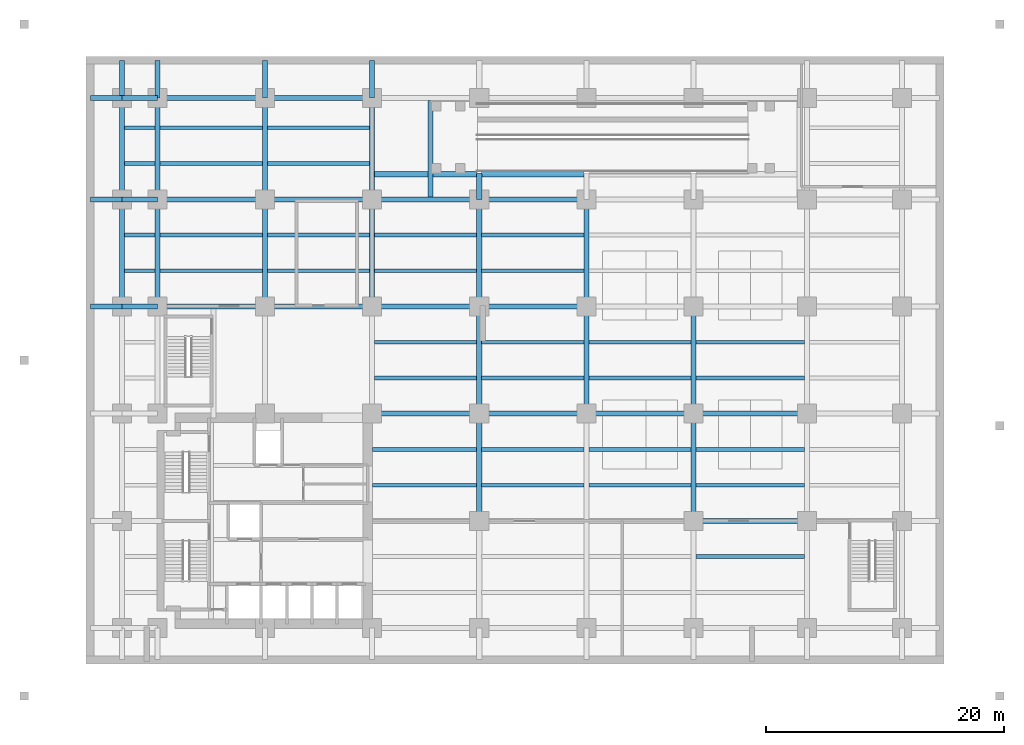
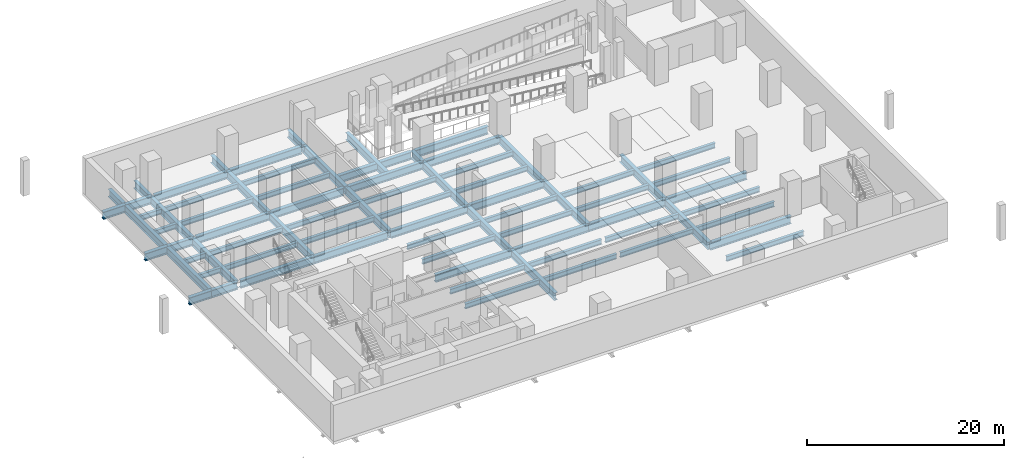
# One storey, part 2 of 10: 77 beams.
"""IFC4 building model written with IfcOpenShell, lengths in metres."""

import ifcopenshell
import ifcopenshell.guid

model = None  # the IFC model being written
_history = None  # IfcOwnerHistory: only IFC2X3 demands one
_inside = {}  # id of a spatial element -> (the spatial element, [elements in it])
_under = {}  # id of a project, library or spatial element -> (it, [spatial elements below it])
_declared = {}  # id of a project -> (the project, [libraries it declares])
_typed = {}  # id of a type object -> (the type object, [elements of that type])
_made_of = {}  # id of a material, layer set ... -> (it, [elements and type objects made of it])


def new_model(schema):
    """Start an empty IFC model of exactly this schema.

    Asked for "IFC4X3", IfcOpenShell would pick the latest addendum, in which some entities
    have other attributes; the version numbers below select the first issue.
    IFC2X3 requires an IfcOwnerHistory on every rooted entity: one is made here for all.
    """
    global model, _history
    if schema == "IFC4X3":
        model = ifcopenshell.file(schema_version=(4, 3, 0, 0))
    else:
        model = ifcopenshell.file(schema=schema)
    _inside.clear()
    _under.clear()
    _declared.clear()
    _typed.clear()
    _made_of.clear()
    _history = None
    if model.schema == "IFC2X3":
        org = make("IfcOrganization", Name="unknown")
        user = make(
            "IfcPersonAndOrganization",
            ThePerson=make("IfcPerson", FamilyName="unknown"),
            TheOrganization=org,
        )
        app = make(
            "IfcApplication",
            ApplicationDeveloper=org,
            Version="unknown",
            ApplicationFullName="unknown",
            ApplicationIdentifier="unknown",
        )
        _history = make(
            "IfcOwnerHistory",
            OwningUser=user,
            OwningApplication=app,
            ChangeAction="ADDED",
            CreationDate=0,
        )
    return model


def make(cls, **values):
    """One entity of the class cls with the attributes given. An attribute that is None is left unset."""
    return model.create_entity(
        cls, **{name: value for name, value in values.items() if value is not None}
    )


def rooted(cls, **values):
    """An entity with a GlobalId (a new one), such as an element, a storey or a relation."""
    return make(cls, GlobalId=ifcopenshell.guid.new(), OwnerHistory=_history, **values)


def si_unit(unit_type, name, prefix=None):
    """IfcSIUnit, for example si_unit("LENGTHUNIT", "METRE", prefix="MILLI")."""
    return make("IfcSIUnit", UnitType=unit_type, Prefix=prefix, Name=name)


def assignment(units):
    """IfcUnitAssignment: the units of a project."""
    return None if units is None else make("IfcUnitAssignment", Units=units)


def point(xyz):
    """IfcCartesianPoint."""
    return None if xyz is None else make("IfcCartesianPoint", Coordinates=xyz)


def direction(xyz):
    """IfcDirection."""
    return None if xyz is None else make("IfcDirection", DirectionRatios=xyz)


def frame(location, z_axis=None, x_axis=None):
    """IfcAxis2Placement3D, a coordinate frame: its origin and axes. An axis left out is left unset."""
    return make(
        "IfcAxis2Placement3D",
        Location=point(location),
        Axis=direction(z_axis),
        RefDirection=direction(x_axis),
    )


def frame_2d(location, x_axis=None):
    """IfcAxis2Placement2D, a coordinate frame in the plane: its origin and x axis."""
    return make(
        "IfcAxis2Placement2D", Location=point(location), RefDirection=direction(x_axis)
    )


def origin():
    """The frame at (0, 0, 0) with its axes left unset."""
    return frame((0.0, 0.0, 0.0))


def origin_2d():
    """The frame at (0, 0) in the plane with its x axis left unset."""
    return frame_2d((0.0, 0.0))


def place(relative_to, where):
    """IfcLocalPlacement: puts the frame where relative to a parent placement (None: the world)."""
    return make(
        "IfcLocalPlacement", PlacementRelTo=relative_to, RelativePlacement=where
    )


def context(
    kind, dimensions, precision=None, world=None, true_north=None, identifier=None
):
    """IfcGeometricRepresentationContext, for example the 3D "Model" context."""
    return make(
        "IfcGeometricRepresentationContext",
        ContextIdentifier=identifier,
        ContextType=kind,
        CoordinateSpaceDimension=dimensions,
        Precision=precision,
        WorldCoordinateSystem=world,
        TrueNorth=true_north,
    )


def subcontext(parent, identifier, kind, view, scale=None):
    """IfcGeometricRepresentationSubContext, for example "Body" below "Model"."""
    return make(
        "IfcGeometricRepresentationSubContext",
        ContextIdentifier=identifier,
        ContextType=kind,
        ParentContext=parent,
        TargetScale=scale,
        TargetView=view,
    )


def project(units=None, contexts=None):
    """IfcProject with its units and contexts."""
    return rooted(
        "IfcProject",
        Name="project",
        RepresentationContexts=contexts,
        UnitsInContext=assignment(units),
    )


def spatial(cls, under=None, at=None, **own):
    """A site, building, storey or space (cls), placed at a placement, below another one or the project."""
    s = rooted(cls, ObjectPlacement=at, **own)
    if under is not None:
        _under.setdefault(under.id(), (under, []))[1].append(s)
    return s


def profile(cls, at=None, kind="AREA", **sizes):
    """A parametric profile (cls). Its sizes go by their IFC names, for example OverallWidth=200.0."""
    return make(cls, ProfileType=kind, Position=at, **sizes)


def i_section(**sizes):
    """IfcIShapeProfileDef."""
    return profile("IfcIShapeProfileDef", **sizes)


def extrude(swept, where, along, depth):
    """IfcExtrudedAreaSolid: the profile swept, set in the frame where, extruded along a direction by depth."""
    return make(
        "IfcExtrudedAreaSolid",
        SweptArea=swept,
        Position=where,
        ExtrudedDirection=direction(along),
        Depth=depth,
    )


def shape(context_of_items, identifier, shape_type, items):
    """IfcShapeRepresentation: the items that make up one representation, for example the "Body"."""
    return make(
        "IfcShapeRepresentation",
        ContextOfItems=context_of_items,
        RepresentationIdentifier=identifier,
        RepresentationType=shape_type,
        Items=items,
    )


def material(Name=None, Category=None):
    """IfcMaterial."""
    return make("IfcMaterial", Name=Name, Category=Category)


def material_profile(
    of_material, cross_section, Name=None, Category=None, Priority=None
):
    """IfcMaterialProfile: a cross section and its material."""
    return make(
        "IfcMaterialProfile",
        Name=Name,
        Material=of_material,
        Profile=cross_section,
        Priority=Priority,
        Category=Category,
    )


def profile_set(profiles, Name=None, composite=None):
    """IfcMaterialProfileSet."""
    return make(
        "IfcMaterialProfileSet",
        Name=Name,
        MaterialProfiles=profiles,
        CompositeProfile=composite,
    )


def made_of(thing, what):
    """Note that an element or type object is made of a material, layer set ...; save() writes the relation."""
    if what is not None:
        _made_of.setdefault(what.id(), (what, []))[1].append(thing)
    return thing


def type_object(cls, material=None, **own):
    """A type object (cls), such as IfcWallType, which elements share."""
    return made_of(rooted(cls, **own), material)


def element(
    cls,
    number,
    at=None,
    inside=None,
    cuts=None,
    type_object=None,
    material=None,
    context=None,
    identifier="Body",
    shape_type=None,
    held_by="IfcProductDefinitionShape",
    body=None,
    shapes=None,
    **own,
):
    """One element of the class cls, such as IfcWall. Its Tag is "e" and its number.

    at: its placement. inside: the storey or other place that contains it. cuts: it is an
    opening in that element (IfcRelVoidsElement). A single representation is given by context,
    identifier, shape_type and body (its items); several are given by shapes. held_by: the class
    of the entity that holds the representations. save() writes the other relations.
    """
    e = rooted(cls, Tag="e%d" % number, ObjectPlacement=at, **own)
    if body is not None:
        shapes = [shape(context, identifier, shape_type, body)]
    if shapes is not None:
        e.Representation = make(held_by, Representations=shapes)
    if inside is not None:
        _inside.setdefault(inside.id(), (inside, []))[1].append(e)
    if cuts is not None:
        rooted(
            "IfcRelVoidsElement", RelatingBuildingElement=cuts, RelatedOpeningElement=e
        )
    if type_object is not None:
        _typed.setdefault(type_object.id(), (type_object, []))[1].append(e)
    return made_of(e, material)


def aggregate(whole, parts):
    """IfcRelAggregates: a whole, such as a stair, and the parts it consists of."""
    return rooted("IfcRelAggregates", RelatingObject=whole, RelatedObjects=parts)


def save(model, path):
    """Write the relations noted so far, then the file.

    IfcRelAggregates (storeys below a building ...), IfcRelContainedInSpatialStructure (elements
    in a storey), IfcRelDefinesByType, IfcRelAssociatesMaterial and IfcRelDeclares: one each for
    every whole, place, type object, material and project.
    """
    for whole, parts in _under.values():
        aggregate(whole, parts)
    for where, things in _inside.values():
        rooted(
            "IfcRelContainedInSpatialStructure",
            RelatedElements=things,
            RelatingStructure=where,
        )
    for kind, things in _typed.values():
        rooted("IfcRelDefinesByType", RelatedObjects=things, RelatingType=kind)
    for what, things in _made_of.values():
        rooted("IfcRelAssociatesMaterial", RelatedObjects=things, RelatingMaterial=what)
    for by, libraries in _declared.values():
        rooted("IfcRelDeclares", RelatingContext=by, RelatedDefinitions=libraries)
    model.write(path)


model = new_model("IFC4")

# Units and contexts
model_context = context("Model", 3, precision=1e-05, world=origin(), true_north=direction((0.0, 1.0)))
body_context = subcontext(model_context, "Body", "Model", "MODEL_VIEW")
ifc_project = project(units=[si_unit("LENGTHUNIT", "METRE"), si_unit("AREAUNIT", "SQUARE_METRE"), si_unit("VOLUMEUNIT", "CUBIC_METRE"), si_unit("PLANEANGLEUNIT", "RADIAN"), si_unit("MASSUNIT", "GRAM", prefix="KILO")], contexts=[model_context])

# Site, building, storey
site_placement = place(None, origin())
site = spatial("IfcSite", under=ifc_project, at=site_placement, CompositionType="ELEMENT")
building_placement = place(site_placement, origin())
building = spatial("IfcBuilding", under=site, at=building_placement, Name="Mawjdan Bourse Tower", CompositionType="ELEMENT")
storey_placement = place(building_placement, frame((0.0, 0.0, -4.5)))
storey = spatial("IfcBuildingStorey", under=building, at=storey_placement, Name="B01", CompositionType="ELEMENT", Elevation=-4.5)

# Beams
ifc_material_1 = material(Name="Structural Steel S460", Category="steel")
ifc_material_profile_1 = material_profile(ifc_material_1, i_section(OverallWidth=0.423095703125, OverallDepth=0.93994140625, WebThickness=0.02392578125, FlangeThickness=0.042724609375, FilletRadius=0.0341796875, at=origin_2d()), Name="W36X302")
ifc_profile_set_1 = profile_set([ifc_material_profile_1], Name="Structural Steel S460")
beam_type_1 = type_object("IfcBeamType", Name="GRD-W36X302", PredefinedType="BEAM", material=ifc_profile_set_1)
beam_1_placement = place(storey_placement, frame((24.0, 41.10009765625, -0.820068359375), z_axis=(1.0, 0.0, 0.0), x_axis=(0.0, 1.0, 0.0)))
element("IfcBeam", 1, at=beam_1_placement, inside=storey, type_object=beam_type_1, Name="B01 Ramp Opening South Trimmer 002", PredefinedType="BEAM", context=body_context, shape_type="SweptSolid", body=[
    extrude(i_section(OverallWidth=0.423095703125, OverallDepth=0.93994140625, WebThickness=0.02392578125, FlangeThickness=0.042724609375, FilletRadius=0.0341796875, at=origin_2d()), origin(), (0.0, 0.0, 1.0), 8.79052734375),
])
beam_2_placement = place(storey_placement, frame((33.20947265625, 41.10009765625, -0.820068359375), z_axis=(1.0, 0.0, 0.0), x_axis=(0.0, 1.0, 0.0)))
element("IfcBeam", 2, at=beam_2_placement, inside=storey, type_object=beam_type_1, Name="B01 Ramp Opening South Trimmer S2", PredefinedType="BEAM", context=body_context, shape_type="SweptSolid", body=[
    extrude(i_section(OverallWidth=0.423095703125, OverallDepth=0.93994140625, WebThickness=0.02392578125, FlangeThickness=0.042724609375, FilletRadius=0.0341796875, at=origin_2d()), origin(), (0.0, 0.0, 1.0), 8.5810546875),
])
beam_3_placement = place(storey_placement, frame((28.89990234375, 39.20947265625, -0.820068359375), z_axis=(0.0, 1.0, 0.0), x_axis=(-1.0, 0.0, 0.0)))
element("IfcBeam", 3, at=beam_3_placement, inside=storey, type_object=beam_type_1, Name="B01 Ramp Opening West Trimmer 003", PredefinedType="BEAM", context=body_context, shape_type="SweptSolid", body=[
    extrude(i_section(OverallWidth=0.423095703125, OverallDepth=0.93994140625, WebThickness=0.02392578125, FlangeThickness=0.042724609375, FilletRadius=0.0341796875, at=origin_2d()), origin(), (0.0, 0.0, 1.0), 8.0810546875),
])
beam_4_placement = place(storey_placement, frame((3.0, 30.0, -0.820068359375), z_axis=(0.0, 1.0, 0.0), x_axis=(-1.0, 0.0, 0.0)))
element("IfcBeam", 4, at=beam_4_placement, inside=storey, type_object=beam_type_1, Name="B01 Podium Primary Girder 010", PredefinedType="BEAM", context=body_context, shape_type="SweptSolid", body=[
    extrude(i_section(OverallWidth=0.423095703125, OverallDepth=0.93994140625, WebThickness=0.02392578125, FlangeThickness=0.042724609375, FilletRadius=0.0341796875, at=origin_2d()), origin(), (0.0, 0.0, 1.0), 9.0),
])
beam_5_placement = place(storey_placement, frame((3.0, 39.0, -0.820068359375), z_axis=(0.0, 1.0, 0.0), x_axis=(-1.0, 0.0, 0.0)))
element("IfcBeam", 5, at=beam_5_placement, inside=storey, type_object=beam_type_1, Name="B01 Podium Primary Girder 011", PredefinedType="BEAM", context=body_context, shape_type="SweptSolid", body=[
    extrude(i_section(OverallWidth=0.423095703125, OverallDepth=0.93994140625, WebThickness=0.02392578125, FlangeThickness=0.042724609375, FilletRadius=0.0341796875, at=origin_2d()), origin(), (0.0, 0.0, 1.0), 8.5),
])
beam_6_placement = place(storey_placement, frame((3.0, 47.5, -0.820068359375), z_axis=(0.0, 1.0, 0.0), x_axis=(-1.0, 0.0, 0.0)))
element("IfcBeam", 6, at=beam_6_placement, inside=storey, type_object=beam_type_1, Name="B01 Podium Primary Girder 012", PredefinedType="BEAM", context=body_context, shape_type="SweptSolid", body=[
    extrude(i_section(OverallWidth=0.423095703125, OverallDepth=0.93994140625, WebThickness=0.02392578125, FlangeThickness=0.042724609375, FilletRadius=0.0341796875, at=origin_2d()), origin(), (0.0, 0.0, 1.0), 3.14990234375),
])
beam_7_placement = place(storey_placement, frame((6.0, 30.0, -0.820068359375), z_axis=(0.0, 1.0, 0.0), x_axis=(-1.0, 0.0, 0.0)))
element("IfcBeam", 7, at=beam_7_placement, inside=storey, type_object=beam_type_1, Name="B01 Podium Primary Girder 015", PredefinedType="BEAM", context=body_context, shape_type="SweptSolid", body=[
    extrude(i_section(OverallWidth=0.423095703125, OverallDepth=0.93994140625, WebThickness=0.02392578125, FlangeThickness=0.042724609375, FilletRadius=0.0341796875, at=origin_2d()), origin(), (0.0, 0.0, 1.0), 9.0),
])
beam_8_placement = place(storey_placement, frame((6.0, 39.0, -0.820068359375), z_axis=(0.0, 1.0, 0.0), x_axis=(-1.0, 0.0, 0.0)))
element("IfcBeam", 8, at=beam_8_placement, inside=storey, type_object=beam_type_1, Name="B01 Podium Primary Girder 016", PredefinedType="BEAM", context=body_context, shape_type="SweptSolid", body=[
    extrude(i_section(OverallWidth=0.423095703125, OverallDepth=0.93994140625, WebThickness=0.02392578125, FlangeThickness=0.042724609375, FilletRadius=0.0341796875, at=origin_2d()), origin(), (0.0, 0.0, 1.0), 8.5),
])
beam_9_placement = place(storey_placement, frame((6.0, 47.5, -0.820068359375), z_axis=(0.0, 1.0, 0.0), x_axis=(-1.0, 0.0, 0.0)))
element("IfcBeam", 9, at=beam_9_placement, inside=storey, type_object=beam_type_1, Name="B01 Podium Primary Girder 017", PredefinedType="BEAM", context=body_context, shape_type="SweptSolid", body=[
    extrude(i_section(OverallWidth=0.423095703125, OverallDepth=0.93994140625, WebThickness=0.02392578125, FlangeThickness=0.042724609375, FilletRadius=0.0341796875, at=origin_2d()), origin(), (0.0, 0.0, 1.0), 3.14990234375),
])
beam_10_placement = place(storey_placement, frame((15.0, 30.0, -0.820068359375), z_axis=(0.0, 1.0, 0.0), x_axis=(-1.0, 0.0, 0.0)))
element("IfcBeam", 10, at=beam_10_placement, inside=storey, type_object=beam_type_1, Name="B01 Podium Primary Girder 020", PredefinedType="BEAM", context=body_context, shape_type="SweptSolid", body=[
    extrude(i_section(OverallWidth=0.423095703125, OverallDepth=0.93994140625, WebThickness=0.02392578125, FlangeThickness=0.042724609375, FilletRadius=0.0341796875, at=origin_2d()), origin(), (0.0, 0.0, 1.0), 9.0),
])
beam_11_placement = place(storey_placement, frame((15.0, 39.0, -0.820068359375), z_axis=(0.0, 1.0, 0.0), x_axis=(-1.0, 0.0, 0.0)))
element("IfcBeam", 11, at=beam_11_placement, inside=storey, type_object=beam_type_1, Name="B01 Podium Primary Girder 021", PredefinedType="BEAM", context=body_context, shape_type="SweptSolid", body=[
    extrude(i_section(OverallWidth=0.423095703125, OverallDepth=0.93994140625, WebThickness=0.02392578125, FlangeThickness=0.042724609375, FilletRadius=0.0341796875, at=origin_2d()), origin(), (0.0, 0.0, 1.0), 8.5),
])
beam_12_placement = place(storey_placement, frame((15.0, 47.5, -0.820068359375), z_axis=(0.0, 1.0, 0.0), x_axis=(-1.0, 0.0, 0.0)))
element("IfcBeam", 12, at=beam_12_placement, inside=storey, type_object=beam_type_1, Name="B01 Podium Primary Girder 022", PredefinedType="BEAM", context=body_context, shape_type="SweptSolid", body=[
    extrude(i_section(OverallWidth=0.423095703125, OverallDepth=0.93994140625, WebThickness=0.02392578125, FlangeThickness=0.042724609375, FilletRadius=0.0341796875, at=origin_2d()), origin(), (0.0, 0.0, 1.0), 3.14990234375),
])
beam_13_placement = place(storey_placement, frame((24.0, 30.0, -0.820068359375), z_axis=(0.0, 1.0, 0.0), x_axis=(-1.0, 0.0, 0.0)))
element("IfcBeam", 13, at=beam_13_placement, inside=storey, type_object=beam_type_1, Name="B01 Podium Primary Girder 025", PredefinedType="BEAM", context=body_context, shape_type="SweptSolid", body=[
    extrude(i_section(OverallWidth=0.423095703125, OverallDepth=0.93994140625, WebThickness=0.02392578125, FlangeThickness=0.042724609375, FilletRadius=0.0341796875, at=origin_2d()), origin(), (0.0, 0.0, 1.0), 9.0),
])
beam_14_placement = place(storey_placement, frame((24.0, 39.0, -0.820068359375), z_axis=(0.0, 1.0, 0.0), x_axis=(-1.0, 0.0, 0.0)))
element("IfcBeam", 14, at=beam_14_placement, inside=storey, type_object=beam_type_1, Name="B01 Podium Primary Girder 026", PredefinedType="BEAM", context=body_context, shape_type="SweptSolid", body=[
    extrude(i_section(OverallWidth=0.423095703125, OverallDepth=0.93994140625, WebThickness=0.02392578125, FlangeThickness=0.042724609375, FilletRadius=0.0341796875, at=origin_2d()), origin(), (0.0, 0.0, 1.0), 8.5),
])
beam_15_placement = place(storey_placement, frame((24.0, 47.5, -0.820068359375), z_axis=(0.0, 1.0, 0.0), x_axis=(-1.0, 0.0, 0.0)))
element("IfcBeam", 15, at=beam_15_placement, inside=storey, type_object=beam_type_1, Name="B01 Podium Primary Girder 027", PredefinedType="BEAM", context=body_context, shape_type="SweptSolid", body=[
    extrude(i_section(OverallWidth=0.423095703125, OverallDepth=0.93994140625, WebThickness=0.02392578125, FlangeThickness=0.042724609375, FilletRadius=0.0341796875, at=origin_2d()), origin(), (0.0, 0.0, 1.0), 3.14990234375),
])
for number, where, z_axis, x_axis, name in (
    (16, (33.0, 12.0, -0.820068359375), (0.0, 1.0, 0.0), (-1.0, 0.0, 0.0), "B01 Podium Primary Girder 030"),
    (17, (33.0, 21.0, -0.820068359375), (0.0, 1.0, 0.0), (-1.0, 0.0, 0.0), "B01 Podium Primary Girder 031"),
    (18, (33.0, 30.0, -0.820068359375), (0.0, 1.0, 0.0), (-1.0, 0.0, 0.0), "B01 Podium Primary Girder 032"),
):
    element("IfcBeam", number, at=place(storey_placement, frame(where, z_axis=z_axis, x_axis=x_axis)), inside=storey, type_object=beam_type_1, Name=name, PredefinedType="BEAM", context=body_context, shape_type="SweptSolid", body=[
        extrude(i_section(OverallWidth=0.423095703125, OverallDepth=0.93994140625, WebThickness=0.02392578125, FlangeThickness=0.042724609375, FilletRadius=0.0341796875, at=origin_2d()), origin(), (0.0, 0.0, 1.0), 9.0),
    ])
beam_16_placement = place(storey_placement, frame((33.0, 39.0, -0.820068359375), z_axis=(0.0, 1.0, 0.0), x_axis=(-1.0, 0.0, 0.0)))
element("IfcBeam", 19, at=beam_16_placement, inside=storey, type_object=beam_type_1, Name="B01 Podium Primary Girder 033", PredefinedType="BEAM", context=body_context, shape_type="SweptSolid", body=[
    extrude(i_section(OverallWidth=0.423095703125, OverallDepth=0.93994140625, WebThickness=0.02392578125, FlangeThickness=0.042724609375, FilletRadius=0.0341796875, at=origin_2d()), origin(), (0.0, 0.0, 1.0), 2.199951171875),
])
for number, where, z_axis, x_axis, name in (
    (20, (42.0, 21.0, -0.820068359375), (0.0, 1.0, 0.0), (-1.0, 0.0, 0.0), "B01 Podium Primary Girder 037"),
    (21, (42.0, 30.0, -0.820068359375), (0.0, 1.0, 0.0), (-1.0, 0.0, 0.0), "B01 Podium Primary Girder 038"),
    (22, (51.0, 12.0, -0.820068359375), (0.0, 1.0, 0.0), (-1.0, 0.0, 0.0), "B01 Podium Primary Girder 043"),
    (23, (51.0, 21.0, -0.820068359375), (0.0, 1.0, 0.0), (-1.0, 0.0, 0.0), "B01 Podium Primary Girder 044"),
):
    element("IfcBeam", number, at=place(storey_placement, frame(where, z_axis=z_axis, x_axis=x_axis)), inside=storey, type_object=beam_type_1, Name=name, PredefinedType="BEAM", context=body_context, shape_type="SweptSolid", body=[
        extrude(i_section(OverallWidth=0.423095703125, OverallDepth=0.93994140625, WebThickness=0.02392578125, FlangeThickness=0.042724609375, FilletRadius=0.0341796875, at=origin_2d()), origin(), (0.0, 0.0, 1.0), 9.0),
    ])
beam_17_placement = place(storey_placement, frame((51.0, 12.0, -0.820068359375), z_axis=(1.0, 0.0, 0.0), x_axis=(0.0, 1.0, 0.0)))
element("IfcBeam", 24, at=beam_17_placement, inside=storey, type_object=beam_type_1, Name="B01 Podium Tie Girder 074", PredefinedType="BEAM", context=body_context, shape_type="SweptSolid", body=[
    extrude(i_section(OverallWidth=0.423095703125, OverallDepth=0.93994140625, WebThickness=0.02392578125, FlangeThickness=0.042724609375, FilletRadius=0.0341796875, at=origin_2d()), origin(), (0.0, 0.0, 1.0), 9.5),
])
for number, where, z_axis, x_axis, name in (
    (25, (24.0, 21.0, -0.820068359375), (1.0, 0.0, 0.0), (0.0, 1.0, 0.0), "B01 Podium Tie Girder 079"),
    (26, (33.0, 21.0, -0.820068359375), (1.0, 0.0, 0.0), (0.0, 1.0, 0.0), "B01 Podium Tie Girder 080"),
    (27, (42.0, 21.0, -0.820068359375), (1.0, 0.0, 0.0), (0.0, 1.0, 0.0), "B01 Podium Tie Girder 081"),
):
    element("IfcBeam", number, at=place(storey_placement, frame(where, z_axis=z_axis, x_axis=x_axis)), inside=storey, type_object=beam_type_1, Name=name, PredefinedType="BEAM", context=body_context, shape_type="SweptSolid", body=[
        extrude(i_section(OverallWidth=0.423095703125, OverallDepth=0.93994140625, WebThickness=0.02392578125, FlangeThickness=0.042724609375, FilletRadius=0.0341796875, at=origin_2d()), origin(), (0.0, 0.0, 1.0), 9.0),
    ])
beam_18_placement = place(storey_placement, frame((51.0, 21.0, -0.820068359375), z_axis=(1.0, 0.0, 0.0), x_axis=(0.0, 1.0, 0.0)))
element("IfcBeam", 28, at=beam_18_placement, inside=storey, type_object=beam_type_1, Name="B01 Podium Tie Girder 082", PredefinedType="BEAM", context=body_context, shape_type="SweptSolid", body=[
    extrude(i_section(OverallWidth=0.423095703125, OverallDepth=0.93994140625, WebThickness=0.02392578125, FlangeThickness=0.042724609375, FilletRadius=0.0341796875, at=origin_2d()), origin(), (0.0, 0.0, 1.0), 9.5),
])
beam_19_placement = place(storey_placement, frame((0.35009765625, 30.0, -0.820068359375), z_axis=(1.0, 0.0, 0.0), x_axis=(0.0, 1.0, 0.0)))
element("IfcBeam", 29, at=beam_19_placement, inside=storey, type_object=beam_type_1, Name="B01 Podium Tie Girder 085", PredefinedType="BEAM", context=body_context, shape_type="SweptSolid", body=[
    extrude(i_section(OverallWidth=0.423095703125, OverallDepth=0.93994140625, WebThickness=0.02392578125, FlangeThickness=0.042724609375, FilletRadius=0.0341796875, at=origin_2d()), origin(), (0.0, 0.0, 1.0), 2.64990234375),
])
beam_20_placement = place(storey_placement, frame((3.0, 30.0, -0.820068359375), z_axis=(1.0, 0.0, 0.0), x_axis=(0.0, 1.0, 0.0)))
element("IfcBeam", 30, at=beam_20_placement, inside=storey, type_object=beam_type_1, Name="B01 Podium Tie Girder 086", PredefinedType="BEAM", context=body_context, shape_type="SweptSolid", body=[
    extrude(i_section(OverallWidth=0.423095703125, OverallDepth=0.93994140625, WebThickness=0.02392578125, FlangeThickness=0.042724609375, FilletRadius=0.0341796875, at=origin_2d()), origin(), (0.0, 0.0, 1.0), 3.0),
])
for number, where, z_axis, x_axis, name in (
    (31, (6.35009765625, 30.0, -0.820068359375), (1.0, 0.0, 0.0), (0.0, 1.0, 0.0), "B01 Podium Tie Girder 087"),
    (32, (15.0, 30.0, -0.820068359375), (1.0, 0.0, 0.0), (0.0, 1.0, 0.0), "B01 Podium Tie Girder 088"),
):
    element("IfcBeam", number, at=place(storey_placement, frame(where, z_axis=z_axis, x_axis=x_axis)), inside=storey, type_object=beam_type_1, Name=name, PredefinedType="BEAM", context=body_context, shape_type="SweptSolid", body=[
        extrude(i_section(OverallWidth=0.423095703125, OverallDepth=0.93994140625, WebThickness=0.02392578125, FlangeThickness=0.042724609375, FilletRadius=0.0341796875, at=origin_2d()), origin(), (0.0, 0.0, 1.0), 8.64990234375),
    ])
for number, where, z_axis, x_axis, name in (
    (33, (24.0, 30.0, -0.820068359375), (1.0, 0.0, 0.0), (0.0, 1.0, 0.0), "B01 Podium Tie Girder 089"),
    (34, (33.0, 30.0, -0.820068359375), (1.0, 0.0, 0.0), (0.0, 1.0, 0.0), "B01 Podium Tie Girder 090"),
):
    element("IfcBeam", number, at=place(storey_placement, frame(where, z_axis=z_axis, x_axis=x_axis)), inside=storey, type_object=beam_type_1, Name=name, PredefinedType="BEAM", context=body_context, shape_type="SweptSolid", body=[
        extrude(i_section(OverallWidth=0.423095703125, OverallDepth=0.93994140625, WebThickness=0.02392578125, FlangeThickness=0.042724609375, FilletRadius=0.0341796875, at=origin_2d()), origin(), (0.0, 0.0, 1.0), 9.0),
    ])
beam_21_placement = place(storey_placement, frame((0.35009765625, 39.0, -0.820068359375), z_axis=(1.0, 0.0, 0.0), x_axis=(0.0, 1.0, 0.0)))
element("IfcBeam", 35, at=beam_21_placement, inside=storey, type_object=beam_type_1, Name="B01 Podium Tie Girder 095", PredefinedType="BEAM", context=body_context, shape_type="SweptSolid", body=[
    extrude(i_section(OverallWidth=0.423095703125, OverallDepth=0.93994140625, WebThickness=0.02392578125, FlangeThickness=0.042724609375, FilletRadius=0.0341796875, at=origin_2d()), origin(), (0.0, 0.0, 1.0), 2.64990234375),
])
beam_22_placement = place(storey_placement, frame((3.0, 39.0, -0.820068359375), z_axis=(1.0, 0.0, 0.0), x_axis=(0.0, 1.0, 0.0)))
element("IfcBeam", 36, at=beam_22_placement, inside=storey, type_object=beam_type_1, Name="B01 Podium Tie Girder 096", PredefinedType="BEAM", context=body_context, shape_type="SweptSolid", body=[
    extrude(i_section(OverallWidth=0.423095703125, OverallDepth=0.93994140625, WebThickness=0.02392578125, FlangeThickness=0.042724609375, FilletRadius=0.0341796875, at=origin_2d()), origin(), (0.0, 0.0, 1.0), 3.0),
])
for number, where, z_axis, x_axis, name in (
    (37, (6.35009765625, 39.0, -0.820068359375), (1.0, 0.0, 0.0), (0.0, 1.0, 0.0), "B01 Podium Tie Girder 097"),
    (38, (15.0, 39.0, -0.820068359375), (1.0, 0.0, 0.0), (0.0, 1.0, 0.0), "B01 Podium Tie Girder 098"),
):
    element("IfcBeam", number, at=place(storey_placement, frame(where, z_axis=z_axis, x_axis=x_axis)), inside=storey, type_object=beam_type_1, Name=name, PredefinedType="BEAM", context=body_context, shape_type="SweptSolid", body=[
        extrude(i_section(OverallWidth=0.423095703125, OverallDepth=0.93994140625, WebThickness=0.02392578125, FlangeThickness=0.042724609375, FilletRadius=0.0341796875, at=origin_2d()), origin(), (0.0, 0.0, 1.0), 8.64990234375),
    ])
for number, where, z_axis, x_axis, name in (
    (39, (24.0, 39.0, -0.820068359375), (1.0, 0.0, 0.0), (0.0, 1.0, 0.0), "B01 Podium Tie Girder 099"),
    (40, (33.0, 39.0, -0.820068359375), (1.0, 0.0, 0.0), (0.0, 1.0, 0.0), "B01 Podium Tie Girder 100"),
):
    element("IfcBeam", number, at=place(storey_placement, frame(where, z_axis=z_axis, x_axis=x_axis)), inside=storey, type_object=beam_type_1, Name=name, PredefinedType="BEAM", context=body_context, shape_type="SweptSolid", body=[
        extrude(i_section(OverallWidth=0.423095703125, OverallDepth=0.93994140625, WebThickness=0.02392578125, FlangeThickness=0.042724609375, FilletRadius=0.0341796875, at=origin_2d()), origin(), (0.0, 0.0, 1.0), 9.0),
    ])
beam_23_placement = place(storey_placement, frame((0.35009765625, 47.5, -0.820068359375), z_axis=(1.0, 0.0, 0.0), x_axis=(0.0, 1.0, 0.0)))
element("IfcBeam", 41, at=beam_23_placement, inside=storey, type_object=beam_type_1, Name="B01 Podium Tie Girder 105", PredefinedType="BEAM", context=body_context, shape_type="SweptSolid", body=[
    extrude(i_section(OverallWidth=0.423095703125, OverallDepth=0.93994140625, WebThickness=0.02392578125, FlangeThickness=0.042724609375, FilletRadius=0.0341796875, at=origin_2d()), origin(), (0.0, 0.0, 1.0), 2.64990234375),
])
beam_24_placement = place(storey_placement, frame((3.0, 47.5, -0.820068359375), z_axis=(1.0, 0.0, 0.0), x_axis=(0.0, 1.0, 0.0)))
element("IfcBeam", 42, at=beam_24_placement, inside=storey, type_object=beam_type_1, Name="B01 Podium Tie Girder 106", PredefinedType="BEAM", context=body_context, shape_type="SweptSolid", body=[
    extrude(i_section(OverallWidth=0.423095703125, OverallDepth=0.93994140625, WebThickness=0.02392578125, FlangeThickness=0.042724609375, FilletRadius=0.0341796875, at=origin_2d()), origin(), (0.0, 0.0, 1.0), 3.0),
])
for number, where, z_axis, x_axis, name in (
    (43, (6.35009765625, 47.5, -0.820068359375), (1.0, 0.0, 0.0), (0.0, 1.0, 0.0), "B01 Podium Tie Girder 107"),
    (44, (15.0, 47.5, -0.820068359375), (1.0, 0.0, 0.0), (0.0, 1.0, 0.0), "B01 Podium Tie Girder 108"),
):
    element("IfcBeam", number, at=place(storey_placement, frame(where, z_axis=z_axis, x_axis=x_axis)), inside=storey, type_object=beam_type_1, Name=name, PredefinedType="BEAM", context=body_context, shape_type="SweptSolid", body=[
        extrude(i_section(OverallWidth=0.423095703125, OverallDepth=0.93994140625, WebThickness=0.02392578125, FlangeThickness=0.042724609375, FilletRadius=0.0341796875, at=origin_2d()), origin(), (0.0, 0.0, 1.0), 8.64990234375),
    ])
ifc_material_2 = material(Name="Structural Steel S355", Category="steel")
ifc_material_profile_2 = material_profile(ifc_material_2, i_section(OverallWidth=0.324951171875, OverallDepth=0.616943359375, WebThickness=0.013916015625, FlangeThickness=0.021484375, FilletRadius=0.017333984375, at=origin_2d()), Name="W24X117")
ifc_profile_set_2 = profile_set([ifc_material_profile_2], Name="Structural Steel S355")
beam_type_2 = type_object("IfcBeamType", Name="JST-W24X117", PredefinedType="JOIST", material=ifc_profile_set_2)
beam_25_placement = place(storey_placement, frame((51.20947265625, 9.0, -0.658447265625), z_axis=(1.0, 0.0, 0.0), x_axis=(0.0, 1.0, 0.0)))
element("IfcBeam", 45, at=beam_25_placement, inside=storey, type_object=beam_type_2, Name="B01 Composite Floor Joist 124", PredefinedType="JOIST", context=body_context, shape_type="SweptSolid", body=[
    extrude(i_section(OverallWidth=0.324951171875, OverallDepth=0.616943359375, WebThickness=0.013916015625, FlangeThickness=0.021484375, FilletRadius=0.017333984375, at=origin_2d()), origin(), (0.0, 0.0, 1.0), 9.0810546875),
])
beam_26_placement = place(storey_placement, frame((24.0400390625, 15.0, -0.658447265625), z_axis=(1.0, 0.0, 0.0), x_axis=(0.0, 1.0, 0.0)))
element("IfcBeam", 46, at=beam_26_placement, inside=storey, type_object=beam_type_2, Name="B01 Composite Floor Joist 126", PredefinedType="JOIST", context=body_context, shape_type="SweptSolid", body=[
    extrude(i_section(OverallWidth=0.324951171875, OverallDepth=0.616943359375, WebThickness=0.013916015625, FlangeThickness=0.021484375, FilletRadius=0.017333984375, at=origin_2d()), origin(), (0.0, 0.0, 1.0), 8.75048828125),
])
for number, where, z_axis, x_axis, name in (
    (47, (33.20947265625, 15.0, -0.658447265625), (1.0, 0.0, 0.0), (0.0, 1.0, 0.0), "B01 Composite Floor Joist 127"),
    (48, (42.20947265625, 15.0, -0.658447265625), (1.0, 0.0, 0.0), (0.0, 1.0, 0.0), "B01 Composite Floor Joist 128"),
):
    element("IfcBeam", number, at=place(storey_placement, frame(where, z_axis=z_axis, x_axis=x_axis)), inside=storey, type_object=beam_type_2, Name=name, PredefinedType="JOIST", context=body_context, shape_type="SweptSolid", body=[
        extrude(i_section(OverallWidth=0.324951171875, OverallDepth=0.616943359375, WebThickness=0.013916015625, FlangeThickness=0.021484375, FilletRadius=0.017333984375, at=origin_2d()), origin(), (0.0, 0.0, 1.0), 8.5810546875),
    ])
beam_27_placement = place(storey_placement, frame((51.20947265625, 15.0, -0.658447265625), z_axis=(1.0, 0.0, 0.0), x_axis=(0.0, 1.0, 0.0)))
element("IfcBeam", 49, at=beam_27_placement, inside=storey, type_object=beam_type_2, Name="B01 Composite Floor Joist 129", PredefinedType="JOIST", context=body_context, shape_type="SweptSolid", body=[
    extrude(i_section(OverallWidth=0.324951171875, OverallDepth=0.616943359375, WebThickness=0.013916015625, FlangeThickness=0.021484375, FilletRadius=0.017333984375, at=origin_2d()), origin(), (0.0, 0.0, 1.0), 9.0810546875),
])
beam_28_placement = place(storey_placement, frame((24.0400390625, 18.0, -0.658447265625), z_axis=(1.0, 0.0, 0.0), x_axis=(0.0, 1.0, 0.0)))
element("IfcBeam", 50, at=beam_28_placement, inside=storey, type_object=beam_type_2, Name="B01 Composite Floor Joist 132", PredefinedType="JOIST", context=body_context, shape_type="SweptSolid", body=[
    extrude(i_section(OverallWidth=0.324951171875, OverallDepth=0.616943359375, WebThickness=0.013916015625, FlangeThickness=0.021484375, FilletRadius=0.017333984375, at=origin_2d()), origin(), (0.0, 0.0, 1.0), 8.75048828125),
])
for number, where, z_axis, x_axis, name in (
    (51, (33.20947265625, 18.0, -0.658447265625), (1.0, 0.0, 0.0), (0.0, 1.0, 0.0), "B01 Composite Floor Joist 133"),
    (52, (42.20947265625, 18.0, -0.658447265625), (1.0, 0.0, 0.0), (0.0, 1.0, 0.0), "B01 Composite Floor Joist 134"),
):
    element("IfcBeam", number, at=place(storey_placement, frame(where, z_axis=z_axis, x_axis=x_axis)), inside=storey, type_object=beam_type_2, Name=name, PredefinedType="JOIST", context=body_context, shape_type="SweptSolid", body=[
        extrude(i_section(OverallWidth=0.324951171875, OverallDepth=0.616943359375, WebThickness=0.013916015625, FlangeThickness=0.021484375, FilletRadius=0.017333984375, at=origin_2d()), origin(), (0.0, 0.0, 1.0), 8.5810546875),
    ])
beam_29_placement = place(storey_placement, frame((51.20947265625, 18.0, -0.658447265625), z_axis=(1.0, 0.0, 0.0), x_axis=(0.0, 1.0, 0.0)))
element("IfcBeam", 53, at=beam_29_placement, inside=storey, type_object=beam_type_2, Name="B01 Composite Floor Joist 135", PredefinedType="JOIST", context=body_context, shape_type="SweptSolid", body=[
    extrude(i_section(OverallWidth=0.324951171875, OverallDepth=0.616943359375, WebThickness=0.013916015625, FlangeThickness=0.021484375, FilletRadius=0.017333984375, at=origin_2d()), origin(), (0.0, 0.0, 1.0), 9.0810546875),
])
for number, where, z_axis, x_axis, name in (
    (54, (24.20947265625, 24.0, -0.658447265625), (1.0, 0.0, 0.0), (0.0, 1.0, 0.0), "B01 Composite Floor Joist 138"),
    (55, (33.20947265625, 24.0, -0.658447265625), (1.0, 0.0, 0.0), (0.0, 1.0, 0.0), "B01 Composite Floor Joist 139"),
    (56, (42.20947265625, 24.0, -0.658447265625), (1.0, 0.0, 0.0), (0.0, 1.0, 0.0), "B01 Composite Floor Joist 140"),
):
    element("IfcBeam", number, at=place(storey_placement, frame(where, z_axis=z_axis, x_axis=x_axis)), inside=storey, type_object=beam_type_2, Name=name, PredefinedType="JOIST", context=body_context, shape_type="SweptSolid", body=[
        extrude(i_section(OverallWidth=0.324951171875, OverallDepth=0.616943359375, WebThickness=0.013916015625, FlangeThickness=0.021484375, FilletRadius=0.017333984375, at=origin_2d()), origin(), (0.0, 0.0, 1.0), 8.5810546875),
    ])
beam_30_placement = place(storey_placement, frame((51.20947265625, 24.0, -0.658447265625), z_axis=(1.0, 0.0, 0.0), x_axis=(0.0, 1.0, 0.0)))
element("IfcBeam", 57, at=beam_30_placement, inside=storey, type_object=beam_type_2, Name="B01 Composite Floor Joist 141", PredefinedType="JOIST", context=body_context, shape_type="SweptSolid", body=[
    extrude(i_section(OverallWidth=0.324951171875, OverallDepth=0.616943359375, WebThickness=0.013916015625, FlangeThickness=0.021484375, FilletRadius=0.017333984375, at=origin_2d()), origin(), (0.0, 0.0, 1.0), 9.0810546875),
])
for number, where, z_axis, x_axis, name in (
    (58, (24.20947265625, 27.0, -0.658447265625), (1.0, 0.0, 0.0), (0.0, 1.0, 0.0), "B01 Composite Floor Joist 144"),
    (59, (33.20947265625, 27.0, -0.658447265625), (1.0, 0.0, 0.0), (0.0, 1.0, 0.0), "B01 Composite Floor Joist 145"),
    (60, (42.20947265625, 27.0, -0.658447265625), (1.0, 0.0, 0.0), (0.0, 1.0, 0.0), "B01 Composite Floor Joist 146"),
):
    element("IfcBeam", number, at=place(storey_placement, frame(where, z_axis=z_axis, x_axis=x_axis)), inside=storey, type_object=beam_type_2, Name=name, PredefinedType="JOIST", context=body_context, shape_type="SweptSolid", body=[
        extrude(i_section(OverallWidth=0.324951171875, OverallDepth=0.616943359375, WebThickness=0.013916015625, FlangeThickness=0.021484375, FilletRadius=0.017333984375, at=origin_2d()), origin(), (0.0, 0.0, 1.0), 8.5810546875),
    ])
beam_31_placement = place(storey_placement, frame((51.20947265625, 27.0, -0.658447265625), z_axis=(1.0, 0.0, 0.0), x_axis=(0.0, 1.0, 0.0)))
element("IfcBeam", 61, at=beam_31_placement, inside=storey, type_object=beam_type_2, Name="B01 Composite Floor Joist 147", PredefinedType="JOIST", context=body_context, shape_type="SweptSolid", body=[
    extrude(i_section(OverallWidth=0.324951171875, OverallDepth=0.616943359375, WebThickness=0.013916015625, FlangeThickness=0.021484375, FilletRadius=0.017333984375, at=origin_2d()), origin(), (0.0, 0.0, 1.0), 9.0810546875),
])
beam_32_placement = place(storey_placement, frame((3.20947265625, 33.0, -0.658447265625), z_axis=(1.0, 0.0, 0.0), x_axis=(0.0, 1.0, 0.0)))
element("IfcBeam", 62, at=beam_32_placement, inside=storey, type_object=beam_type_2, Name="B01 Composite Floor Joist 149", PredefinedType="JOIST", context=body_context, shape_type="SweptSolid", body=[
    extrude(i_section(OverallWidth=0.324951171875, OverallDepth=0.616943359375, WebThickness=0.013916015625, FlangeThickness=0.021484375, FilletRadius=0.017333984375, at=origin_2d()), origin(), (0.0, 0.0, 1.0), 2.5810546875),
])
for number, where, z_axis, x_axis, name in (
    (63, (6.20947265625, 33.0, -0.658447265625), (1.0, 0.0, 0.0), (0.0, 1.0, 0.0), "B01 Composite Floor Joist 150"),
    (64, (15.20947265625, 33.0, -0.658447265625), (1.0, 0.0, 0.0), (0.0, 1.0, 0.0), "B01 Composite Floor Joist 151"),
    (65, (24.20947265625, 33.0, -0.658447265625), (1.0, 0.0, 0.0), (0.0, 1.0, 0.0), "B01 Composite Floor Joist 152"),
    (66, (33.20947265625, 33.0, -0.658447265625), (1.0, 0.0, 0.0), (0.0, 1.0, 0.0), "B01 Composite Floor Joist 153"),
):
    element("IfcBeam", number, at=place(storey_placement, frame(where, z_axis=z_axis, x_axis=x_axis)), inside=storey, type_object=beam_type_2, Name=name, PredefinedType="JOIST", context=body_context, shape_type="SweptSolid", body=[
        extrude(i_section(OverallWidth=0.324951171875, OverallDepth=0.616943359375, WebThickness=0.013916015625, FlangeThickness=0.021484375, FilletRadius=0.017333984375, at=origin_2d()), origin(), (0.0, 0.0, 1.0), 8.5810546875),
    ])
beam_33_placement = place(storey_placement, frame((3.20947265625, 36.0, -0.658447265625), z_axis=(1.0, 0.0, 0.0), x_axis=(0.0, 1.0, 0.0)))
element("IfcBeam", 67, at=beam_33_placement, inside=storey, type_object=beam_type_2, Name="B01 Composite Floor Joist 157", PredefinedType="JOIST", context=body_context, shape_type="SweptSolid", body=[
    extrude(i_section(OverallWidth=0.324951171875, OverallDepth=0.616943359375, WebThickness=0.013916015625, FlangeThickness=0.021484375, FilletRadius=0.017333984375, at=origin_2d()), origin(), (0.0, 0.0, 1.0), 2.5810546875),
])
for number, where, z_axis, x_axis, name in (
    (68, (6.20947265625, 36.0, -0.658447265625), (1.0, 0.0, 0.0), (0.0, 1.0, 0.0), "B01 Composite Floor Joist 158"),
    (69, (15.20947265625, 36.0, -0.658447265625), (1.0, 0.0, 0.0), (0.0, 1.0, 0.0), "B01 Composite Floor Joist 159"),
    (70, (24.20947265625, 36.0, -0.658447265625), (1.0, 0.0, 0.0), (0.0, 1.0, 0.0), "B01 Composite Floor Joist 160"),
    (71, (33.20947265625, 36.0, -0.658447265625), (1.0, 0.0, 0.0), (0.0, 1.0, 0.0), "B01 Composite Floor Joist 161"),
):
    element("IfcBeam", number, at=place(storey_placement, frame(where, z_axis=z_axis, x_axis=x_axis)), inside=storey, type_object=beam_type_2, Name=name, PredefinedType="JOIST", context=body_context, shape_type="SweptSolid", body=[
        extrude(i_section(OverallWidth=0.324951171875, OverallDepth=0.616943359375, WebThickness=0.013916015625, FlangeThickness=0.021484375, FilletRadius=0.017333984375, at=origin_2d()), origin(), (0.0, 0.0, 1.0), 8.5810546875),
    ])
beam_34_placement = place(storey_placement, frame((3.20947265625, 42.0, -0.658447265625), z_axis=(1.0, 0.0, 0.0), x_axis=(0.0, 1.0, 0.0)))
element("IfcBeam", 72, at=beam_34_placement, inside=storey, type_object=beam_type_2, Name="B01 Composite Floor Joist 165", PredefinedType="JOIST", context=body_context, shape_type="SweptSolid", body=[
    extrude(i_section(OverallWidth=0.324951171875, OverallDepth=0.616943359375, WebThickness=0.013916015625, FlangeThickness=0.021484375, FilletRadius=0.017333984375, at=origin_2d()), origin(), (0.0, 0.0, 1.0), 2.5810546875),
])
for number, where, z_axis, x_axis, name in (
    (73, (6.20947265625, 42.0, -0.658447265625), (1.0, 0.0, 0.0), (0.0, 1.0, 0.0), "B01 Composite Floor Joist 166"),
    (74, (15.20947265625, 42.0, -0.658447265625), (1.0, 0.0, 0.0), (0.0, 1.0, 0.0), "B01 Composite Floor Joist 167"),
):
    element("IfcBeam", number, at=place(storey_placement, frame(where, z_axis=z_axis, x_axis=x_axis)), inside=storey, type_object=beam_type_2, Name=name, PredefinedType="JOIST", context=body_context, shape_type="SweptSolid", body=[
        extrude(i_section(OverallWidth=0.324951171875, OverallDepth=0.616943359375, WebThickness=0.013916015625, FlangeThickness=0.021484375, FilletRadius=0.017333984375, at=origin_2d()), origin(), (0.0, 0.0, 1.0), 8.5810546875),
    ])
beam_35_placement = place(storey_placement, frame((3.20947265625, 45.0, -0.658447265625), z_axis=(1.0, 0.0, 0.0), x_axis=(0.0, 1.0, 0.0)))
element("IfcBeam", 75, at=beam_35_placement, inside=storey, type_object=beam_type_2, Name="B01 Composite Floor Joist 169", PredefinedType="JOIST", context=body_context, shape_type="SweptSolid", body=[
    extrude(i_section(OverallWidth=0.324951171875, OverallDepth=0.616943359375, WebThickness=0.013916015625, FlangeThickness=0.021484375, FilletRadius=0.017333984375, at=origin_2d()), origin(), (0.0, 0.0, 1.0), 2.5810546875),
])
for number, where, z_axis, x_axis, name in (
    (76, (6.20947265625, 45.0, -0.658447265625), (1.0, 0.0, 0.0), (0.0, 1.0, 0.0), "B01 Composite Floor Joist 170"),
    (77, (15.20947265625, 45.0, -0.658447265625), (1.0, 0.0, 0.0), (0.0, 1.0, 0.0), "B01 Composite Floor Joist 171"),
):
    element("IfcBeam", number, at=place(storey_placement, frame(where, z_axis=z_axis, x_axis=x_axis)), inside=storey, type_object=beam_type_2, Name=name, PredefinedType="JOIST", context=body_context, shape_type="SweptSolid", body=[
        extrude(i_section(OverallWidth=0.324951171875, OverallDepth=0.616943359375, WebThickness=0.013916015625, FlangeThickness=0.021484375, FilletRadius=0.017333984375, at=origin_2d()), origin(), (0.0, 0.0, 1.0), 8.5810546875),
    ])

save(model, "model.ifc")
